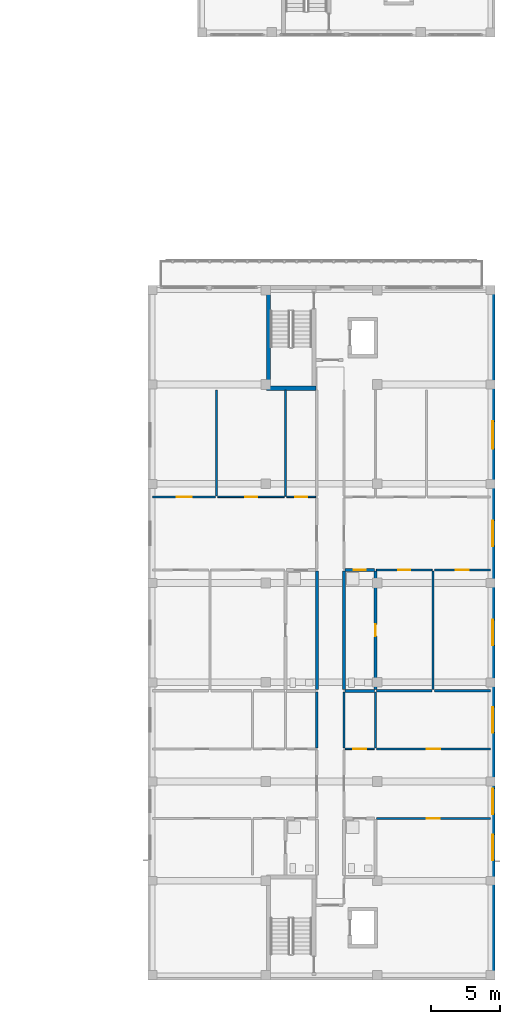
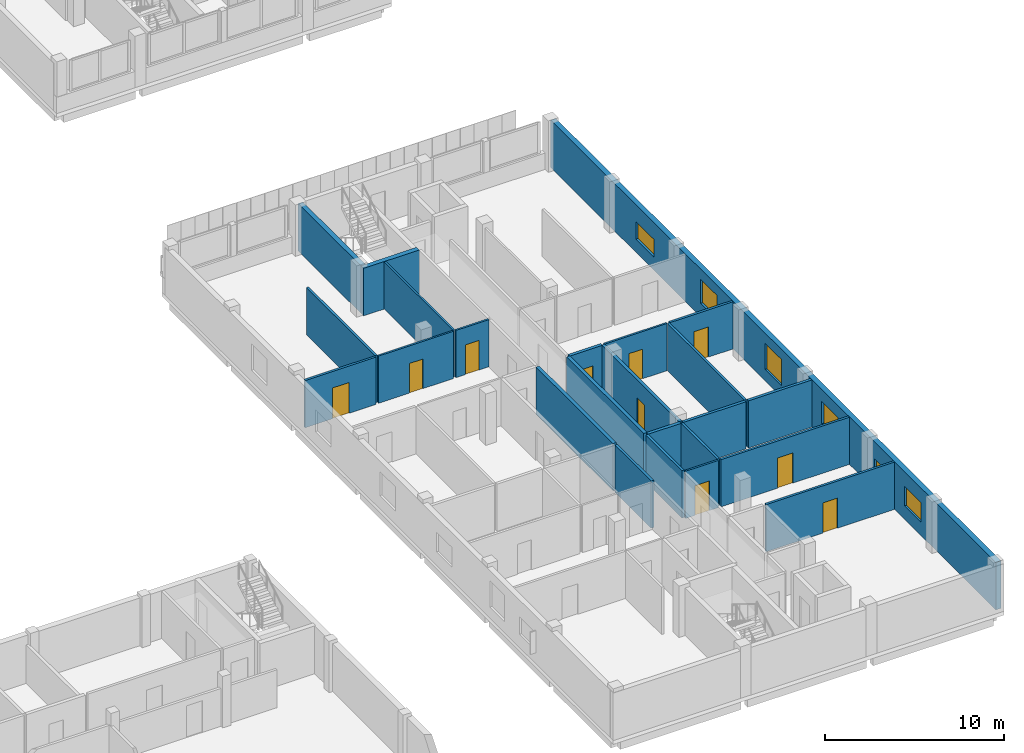
# One storey, part 47 of 73: 24 walls, 10 doors, 6 windows, 16 openings.
"""IFC4 building model written with IfcOpenShell, lengths in metres."""

from ifc_helpers import new_model, si_unit, derived_unit, direction, frame, frame_2d, origin, place, context, subcontext, project, spatial, rectangle, extrude, material, layer, layer_set, type_object, element, fill, save


model = new_model("IFC4")

# Units and contexts
model_context = context("Model", 3, precision=1e-05, world=origin(), true_north=direction((0.0, 1.0)))
body_context = subcontext(model_context, "Body", "Model", "MODEL_VIEW")
ifc_project = project(units=[si_unit("LENGTHUNIT", "METRE"), si_unit("AREAUNIT", "SQUARE_METRE"), si_unit("VOLUMEUNIT", "CUBIC_METRE"), si_unit("PLANEANGLEUNIT", "RADIAN"), si_unit("MASSUNIT", "GRAM", prefix="KILO"), derived_unit("THERMALTRANSMITTANCEUNIT", [(si_unit("MASSUNIT", "GRAM", prefix="KILO"), 1), (si_unit("TIMEUNIT", "SECOND"), -3), (si_unit("THERMODYNAMICTEMPERATUREUNIT", "KELVIN"), -1)])], contexts=[model_context])

# Site, building, storey
site_placement = place(None, origin())
site = spatial("IfcSite", under=ifc_project, at=site_placement, CompositionType="ELEMENT")
building_placement = place(site_placement, origin())
building = spatial("IfcBuilding", under=site, at=building_placement, Name="Ochrekiln Boulevard Commons", CompositionType="ELEMENT")
storey_placement = place(building_placement, frame((0.0, 0.0, 8.574951171875)))
storey = spatial("IfcBuildingStorey", under=building, at=storey_placement, Name="L02", CompositionType="ELEMENT", Elevation=8.574951171875)

# Wall, openings, windows
ifc_material_1 = material(Name="Desert ochre clinker brick masonry ASTM C216 Grade SW", Category="masonry")
ifc_layer_1 = layer(ifc_material_1, 0.330078125)
ifc_layer_set_1 = layer_set([ifc_layer_1], Name="Desert ochre clinker brick masonry ASTM C216 Grade SW")
wall_type_1 = type_object("IfcWallType", Name="WL-EXT-OCHRE-330", PredefinedType="SOLIDWALL", material=ifc_layer_set_1)
wall_1_placement = place(storey_placement, frame((172.635009765625, 0.330078125, 0.0), z_axis=(0.0, 0.0, 1.0), x_axis=(0.0, 1.0, 0.0)))
wall_1 = element("IfcWall", 1, at=wall_1_placement, inside=storey, type_object=wall_type_1, Name="Block C L02 E Exterior Wall", PredefinedType="SOLIDWALL", context=body_context, shape_type="SweptSolid", body=[
    extrude(rectangle(XDim=49.739990234375, YDim=0.330078125, at=frame_2d((24.8701171875, 0.0))), origin(), (0.0, 0.0, 1.0), 3.239990234375),
])
opening_1_placement = place(wall_1_placement, frame((11.708984375, 0.0, 0.89990234375)))
opening_1 = element("IfcOpeningElement", 2, at=opening_1_placement, cuts=wall_1, Name="Opening W-41", PredefinedType="OPENING", context=body_context, shape_type="SweptSolid", body=[
    extrude(rectangle(XDim=1.85009765625, YDim=1.199951171875, at=frame_2d((0.925048828125, 0.60009765625))), frame((0.0, 0.175048828125, 0.0), z_axis=(0.0, -1.0, 0.0), x_axis=(1.0, 0.0, 0.0)), (0.0, 0.0, 1.0), 0.35009765625),
])
opening_2_placement = place(wall_1_placement, frame((8.364013671875, 0.0, 0.89990234375)))
opening_2 = element("IfcOpeningElement", 3, at=opening_2_placement, cuts=wall_1, Name="Opening W-42", PredefinedType="OPENING", context=body_context, shape_type="SweptSolid", body=[
    extrude(rectangle(XDim=1.85009765625, YDim=1.35009765625, at=frame_2d((0.925048828125, 0.675048828125))), frame((0.0, 0.175048828125, 0.0), z_axis=(0.0, -1.0, 0.0), x_axis=(1.0, 0.0, 0.0)), (0.0, 0.0, 1.0), 0.35009765625),
])
opening_3_placement = place(wall_1_placement, frame((17.612060546875, 0.0, 0.89990234375)))
opening_3 = element("IfcOpeningElement", 4, at=opening_3_placement, cuts=wall_1, Name="Opening W-43", PredefinedType="OPENING", context=body_context, shape_type="SweptSolid", body=[
    extrude(rectangle(XDim=1.85009765625, YDim=1.5, at=frame_2d((0.925048828125, 0.75))), frame((0.0, 0.175048828125, 0.0), z_axis=(0.0, -1.0, 0.0), x_axis=(1.0, 0.0, 0.0)), (0.0, 0.0, 1.0), 0.35009765625),
])
opening_4_placement = place(wall_1_placement, frame((31.14501953125, 0.0, 0.89990234375)))
opening_4 = element("IfcOpeningElement", 5, at=opening_4_placement, cuts=wall_1, Name="Opening W-44", PredefinedType="OPENING", context=body_context, shape_type="SweptSolid", body=[
    extrude(rectangle(XDim=1.85009765625, YDim=1.64990234375, at=frame_2d((0.925048828125, 0.824951171875))), frame((0.0, 0.175048828125, 0.0), z_axis=(0.0, -1.0, 0.0), x_axis=(1.0, 0.0, 0.0)), (0.0, 0.0, 1.0), 0.35009765625),
])
opening_5_placement = place(wall_1_placement, frame((23.945068359375, 0.0, 0.7548828125)))
opening_5 = element("IfcOpeningElement", 6, at=opening_5_placement, cuts=wall_1, Name="Opening W-45", PredefinedType="OPENING", context=body_context, shape_type="SweptSolid", body=[
    extrude(rectangle(XDim=1.85009765625, YDim=1.800048828125, at=frame_2d((0.925048828125, 0.89990234375))), frame((0.0, 0.175048828125, 0.0), z_axis=(0.0, -1.0, 0.0), x_axis=(1.0, 0.0, 0.0)), (0.0, 0.0, 1.0), 0.35009765625),
])
opening_6_placement = place(wall_1_placement, frame((38.205078125, 0.0, 0.89990234375)))
opening_6 = element("IfcOpeningElement", 7, at=opening_6_placement, cuts=wall_1, Name="Opening W-46", PredefinedType="OPENING", context=body_context, shape_type="SweptSolid", body=[
    extrude(rectangle(XDim=2.0, YDim=1.199951171875, at=frame_2d((1.0, 0.60009765625))), frame((0.0, 0.175048828125, 0.0), z_axis=(0.0, -1.0, 0.0), x_axis=(1.0, 0.0, 0.0)), (0.0, 0.0, 1.0), 0.35009765625),
])
ifc_material_2 = material(Name="Thermally broken aluminium-clad oak frame", Category="aluminium")
window_type_1 = type_object("IfcWindowType", Name="WIN-EXT-41", PartitioningType="DOUBLE_PANEL_VERTICAL", PredefinedType="WINDOW", material=ifc_material_2)
window_1_placement = place(opening_1_placement, origin())
window_1 = element("IfcWindow", 8, at=window_1_placement, inside=storey, type_object=window_type_1, Name="Block C L02 Punched Masonry Window W-41", OverallHeight=1.199951171875, OverallWidth=1.85009765625, PartitioningType="DOUBLE_PANEL_VERTICAL", PredefinedType="WINDOW", context=body_context, shape_type="SweptSolid", body=[
    extrude(rectangle(XDim=1.85009765625, YDim=1.199951171875, at=frame_2d((0.925048828125, 0.60009765625))), frame((0.0, 0.030029296875, 0.0), z_axis=(0.0, -1.0, 0.0), x_axis=(1.0, 0.0, 0.0)), (0.0, 0.0, 1.0), 0.06005859375),
])
fill(opening_1, window_1)
window_type_2 = type_object("IfcWindowType", Name="WIN-EXT-42", PartitioningType="DOUBLE_PANEL_VERTICAL", PredefinedType="WINDOW", material=ifc_material_2)
window_2_placement = place(opening_2_placement, origin())
window_2 = element("IfcWindow", 9, at=window_2_placement, inside=storey, type_object=window_type_2, Name="Block C L02 Punched Masonry Window W-42", OverallHeight=1.35009765625, OverallWidth=1.85009765625, PartitioningType="DOUBLE_PANEL_VERTICAL", PredefinedType="WINDOW", context=body_context, shape_type="SweptSolid", body=[
    extrude(rectangle(XDim=1.85009765625, YDim=1.35009765625, at=frame_2d((0.925048828125, 0.675048828125))), frame((0.0, 0.030029296875, 0.0), z_axis=(0.0, -1.0, 0.0), x_axis=(1.0, 0.0, 0.0)), (0.0, 0.0, 1.0), 0.06005859375),
])
fill(opening_2, window_2)
window_type_3 = type_object("IfcWindowType", Name="WIN-EXT-43", PartitioningType="DOUBLE_PANEL_VERTICAL", PredefinedType="WINDOW", material=ifc_material_2)
window_3_placement = place(opening_3_placement, origin())
window_3 = element("IfcWindow", 10, at=window_3_placement, inside=storey, type_object=window_type_3, Name="Block C L02 Punched Masonry Window W-43", OverallHeight=1.5, OverallWidth=1.85009765625, PartitioningType="DOUBLE_PANEL_VERTICAL", PredefinedType="WINDOW", context=body_context, shape_type="SweptSolid", body=[
    extrude(rectangle(XDim=1.85009765625, YDim=1.5, at=frame_2d((0.925048828125, 0.75))), frame((0.0, 0.030029296875, 0.0), z_axis=(0.0, -1.0, 0.0), x_axis=(1.0, 0.0, 0.0)), (0.0, 0.0, 1.0), 0.06005859375),
])
fill(opening_3, window_3)
window_type_4 = type_object("IfcWindowType", Name="WIN-EXT-44", PartitioningType="DOUBLE_PANEL_VERTICAL", PredefinedType="WINDOW", material=ifc_material_2)
window_4_placement = place(opening_4_placement, origin())
window_4 = element("IfcWindow", 11, at=window_4_placement, inside=storey, type_object=window_type_4, Name="Block C L02 Punched Masonry Window W-44", OverallHeight=1.64990234375, OverallWidth=1.85009765625, PartitioningType="DOUBLE_PANEL_VERTICAL", PredefinedType="WINDOW", context=body_context, shape_type="SweptSolid", body=[
    extrude(rectangle(XDim=1.85009765625, YDim=1.64990234375, at=frame_2d((0.925048828125, 0.824951171875))), frame((0.0, 0.030029296875, 0.0), z_axis=(0.0, -1.0, 0.0), x_axis=(1.0, 0.0, 0.0)), (0.0, 0.0, 1.0), 0.06005859375),
])
fill(opening_4, window_4)
window_type_5 = type_object("IfcWindowType", Name="WIN-EXT-45", PartitioningType="DOUBLE_PANEL_VERTICAL", PredefinedType="WINDOW", material=ifc_material_2)
window_5_placement = place(opening_5_placement, origin())
window_5 = element("IfcWindow", 12, at=window_5_placement, inside=storey, type_object=window_type_5, Name="Block C L02 Punched Masonry Window W-45", OverallHeight=1.800048828125, OverallWidth=1.85009765625, PartitioningType="DOUBLE_PANEL_VERTICAL", PredefinedType="WINDOW", context=body_context, shape_type="SweptSolid", body=[
    extrude(rectangle(XDim=1.85009765625, YDim=1.800048828125, at=frame_2d((0.925048828125, 0.89990234375))), frame((0.0, 0.030029296875, 0.0), z_axis=(0.0, -1.0, 0.0), x_axis=(1.0, 0.0, 0.0)), (0.0, 0.0, 1.0), 0.06005859375),
])
fill(opening_5, window_5)
window_type_6 = type_object("IfcWindowType", Name="WIN-EXT-46", PartitioningType="DOUBLE_PANEL_VERTICAL", PredefinedType="WINDOW", material=ifc_material_2)
window_6_placement = place(opening_6_placement, origin())
window_6 = element("IfcWindow", 13, at=window_6_placement, inside=storey, type_object=window_type_6, Name="Block C L02 Punched Masonry Window W-46", OverallHeight=1.199951171875, OverallWidth=2.0, PartitioningType="DOUBLE_PANEL_VERTICAL", PredefinedType="WINDOW", context=body_context, shape_type="SweptSolid", body=[
    extrude(rectangle(XDim=2.0, YDim=1.199951171875, at=frame_2d((1.0, 0.60009765625))), frame((0.0, 0.030029296875, 0.0), z_axis=(0.0, -1.0, 0.0), x_axis=(1.0, 0.0, 0.0)), (0.0, 0.0, 1.0), 0.06005859375),
])
fill(opening_6, window_6)

# Wall
ifc_material_3 = material(Name="Moisture-resistant cementitious tile backer wall")
ifc_layer_2 = layer(ifc_material_3, 0.199951171875)
ifc_layer_set_2 = layer_set([ifc_layer_2], Name="Moisture-resistant cementitious tile backer wall")
wall_type_2 = type_object("IfcWallType", Name="WL-PLM-200", PredefinedType="PLUMBINGWALL", material=ifc_layer_set_2)
wall_2_placement = place(storey_placement, frame((161.923095703125, 20.97607421875, 0.0), z_axis=(0.0, 0.0, 1.0), x_axis=(1.0, 0.0, 0.0)))
element("IfcWall", 14, at=wall_2_placement, inside=storey, type_object=wall_type_2, Name="L02 Interior Wall W-PW200", PredefinedType="PLUMBINGWALL", context=body_context, shape_type="SweptSolid", body=[
    extrude(rectangle(XDim=2.11181640625, YDim=0.199951171875, at=frame_2d((1.055908203125, 0.0))), origin(), (0.0, 0.0, 1.0), 3.219970703125),
])

# Wall, opening, door
wall_3_placement = place(storey_placement, frame((161.923095703125, 29.75, 0.0), z_axis=(0.0, 0.0, 1.0), x_axis=(1.0, 0.0, 0.0)))
wall_3 = element("IfcWall", 15, at=wall_3_placement, inside=storey, type_object=wall_type_2, Name="L02 Interior Wall W-PW200", PredefinedType="PLUMBINGWALL", context=body_context, shape_type="SweptSolid", body=[
    extrude(rectangle(XDim=2.10693359375, YDim=0.199951171875, at=frame_2d((1.053466796875, 0.0))), origin(), (0.0, 0.0, 1.0), 3.219970703125),
])
opening_7_placement = place(wall_3_placement, frame((0.612060546875, 0.0, 0.0)))
opening_7 = element("IfcOpeningElement", 16, at=opening_7_placement, cuts=wall_3, Name="Opening D-L02-390", PredefinedType="OPENING", context=body_context, shape_type="SweptSolid", body=[
    extrude(rectangle(XDim=0.889892578125, YDim=2.030029296875, at=frame_2d((0.44482421875, 1.01513671875))), frame((0.0, 0.10986328125, 0.0), z_axis=(0.0, -1.0, 0.0), x_axis=(1.0, 0.0, 0.0)), (0.0, 0.0, 1.0), 0.219970703125),
])
ifc_material_4 = material(Name="Solid core architectural oak door leaf")
door_type_1 = type_object("IfcDoorType", Name="DR-INT-BTH-089", OperationType="NOTDEFINED", PredefinedType="DOOR", material=ifc_material_4)
door_1_placement = place(opening_7_placement, frame((0.889892578125, 0.0, 0.0), z_axis=(0.0, 0.0, 1.0), x_axis=(-1.0, 0.0, 0.0)))
door_1 = element("IfcDoor", 17, at=door_1_placement, inside=storey, type_object=door_type_1, Name="L02 Interior Door to Apartment Bathroom", OperationType="SINGLE_SWING_RIGHT", OverallHeight=2.030029296875, OverallWidth=0.889892578125, PredefinedType="DOOR", context=body_context, shape_type="SweptSolid", body=[
    extrude(rectangle(XDim=0.889892578125, YDim=2.030029296875, at=frame_2d((0.44482421875, 1.01513671875))), frame((0.0, 0.02490234375, 0.0), z_axis=(0.0, -1.0, 0.0), x_axis=(1.0, 0.0, 0.0)), (0.0, 0.0, 1.0), 0.050048828125),
])
fill(opening_7, door_1)

wall_4_placement = place(storey_placement, frame((164.110107421875, 21.06591796875, 0.0), z_axis=(0.0, 0.0, 1.0), x_axis=(0.0, 1.0, 0.0)))
wall_4 = element("IfcWall", 18, at=wall_4_placement, inside=storey, type_object=wall_type_2, Name="L02 Interior Wall W-PW200", PredefinedType="PLUMBINGWALL", context=body_context, shape_type="SweptSolid", body=[
    extrude(rectangle(XDim=8.6240234375, YDim=0.199951171875, at=frame_2d((4.31201171875, 0.0))), origin(), (0.0, 0.0, 1.0), 3.219970703125),
])
opening_8_placement = place(wall_4_placement, frame((3.876953125, 0.0, 0.0)))
opening_8 = element("IfcOpeningElement", 19, at=opening_8_placement, cuts=wall_4, Name="Opening D-L02-396", PredefinedType="OPENING", context=body_context, shape_type="SweptSolid", body=[
    extrude(rectangle(XDim=0.85009765625, YDim=2.010009765625, at=frame_2d((0.425048828125, 1.0048828125))), frame((0.0, 0.10986328125, 0.0), z_axis=(0.0, -1.0, 0.0), x_axis=(1.0, 0.0, 0.0)), (0.0, 0.0, 1.0), 0.219970703125),
])
door_type_2 = type_object("IfcDoorType", Name="DR-INT-KIT-085", OperationType="NOTDEFINED", PredefinedType="DOOR", material=ifc_material_4)
door_2_placement = place(opening_8_placement, origin())
door_2 = element("IfcDoor", 20, at=door_2_placement, inside=storey, type_object=door_type_2, Name="L02 Interior Door to Apartment Bathroom", OperationType="SINGLE_SWING_RIGHT", OverallHeight=2.010009765625, OverallWidth=0.85009765625, PredefinedType="DOOR", context=body_context, shape_type="SweptSolid", body=[
    extrude(rectangle(XDim=0.85009765625, YDim=2.010009765625, at=frame_2d((0.425048828125, 1.0048828125))), frame((0.0, 0.02490234375, 0.0), z_axis=(0.0, -1.0, 0.0), x_axis=(1.0, 0.0, 0.0)), (0.0, 0.0, 1.0), 0.050048828125),
])
fill(opening_8, door_2)

# Walls
ifc_layer_3 = layer(ifc_material_3, 0.219970703125)
ifc_layer_set_3 = layer_set([ifc_layer_3], Name="Moisture-resistant cementitious tile backer wall")
wall_type_3 = type_object("IfcWallType", Name="WL-PLM-220", PredefinedType="PLUMBINGWALL", material=ifc_layer_set_3)
for number, where, z_axis, x_axis, name in (
    (21, (159.860107421875, 21.06591796875, 0.0), (0.0, 0.0, 1.0), (0.0, 1.0, 0.0), "L02 Interior Wall W-PW220"),
    (22, (161.840087890625, 21.06591796875, 0.0), (0.0, 0.0, 1.0), (0.0, 1.0, 0.0), "L02 Interior Wall W-PW220"),
):
    element("IfcWall", number, at=place(storey_placement, frame(where, z_axis=z_axis, x_axis=x_axis)), inside=storey, type_object=wall_type_3, Name=name, PredefinedType="PLUMBINGWALL", context=body_context, shape_type="SweptSolid", body=[
        extrude(rectangle(XDim=8.60400390625, YDim=0.219970703125, at=frame_2d((4.302001953125, 0.0))), origin(), (0.0, 0.0, 1.0), 3.219970703125),
    ])
ifc_material_5 = material(Name="Fire-rated Type X gypsum board on steel studs", Category="steel")
ifc_layer_4 = layer(ifc_material_5, 0.1650390625)
ifc_layer_set_4 = layer_set([ifc_layer_4], Name="Fire-rated Type X gypsum board on steel studs")
wall_type_4 = type_object("IfcWallType", Name="WL-PT-CORR-165", PredefinedType="PARTITIONING", material=ifc_layer_set_4)
for number, where, z_axis, x_axis, name in (
    (23, (159.860107421875, 16.846923828125, 0.0), (0.0, 0.0, 1.0), (0.0, 1.0, 0.0), "L02 Interior Wall W-PC165"),
    (24, (161.840087890625, 16.846923828125, 0.0), (0.0, 0.0, 1.0), (0.0, 1.0, 0.0), "L02 Interior Wall W-PC165"),
):
    element("IfcWall", number, at=place(storey_placement, frame(where, z_axis=z_axis, x_axis=x_axis)), inside=storey, type_object=wall_type_4, Name=name, PredefinedType="PARTITIONING", context=body_context, shape_type="SweptSolid", body=[
        extrude(rectangle(XDim=4.0390625, YDim=0.1650390625, at=frame_2d((2.01953125, 0.0))), origin(), (0.0, 0.0, 1.0), 3.219970703125),
    ])
ifc_layer_5 = layer(ifc_material_5, 0.179931640625)
ifc_layer_set_5 = layer_set([ifc_layer_5], Name="Fire-rated Type X gypsum board on steel studs")
wall_type_5 = type_object("IfcWallType", Name="WL-PT-DEM-180", PredefinedType="PARTITIONING", material=ifc_layer_set_5)
wall_5_placement = place(storey_placement, frame((168.382080078125, 20.97607421875, 0.0), z_axis=(0.0, 0.0, 1.0), x_axis=(1.0, 0.0, 0.0)))
element("IfcWall", 25, at=wall_5_placement, inside=storey, type_object=wall_type_5, Name="L02 Interior Wall W-PD180", PredefinedType="PARTITIONING", context=body_context, shape_type="SweptSolid", body=[
    extrude(rectangle(XDim=4.087890625, YDim=0.179931640625, at=frame_2d((2.0439453125, 0.0))), origin(), (0.0, 0.0, 1.0), 3.219970703125),
])
wall_6_placement = place(storey_placement, frame((164.18994140625, 20.97607421875, 0.0), z_axis=(0.0, 0.0, 1.0), x_axis=(1.0, 0.0, 0.0)))
element("IfcWall", 26, at=wall_6_placement, inside=storey, type_object=wall_type_5, Name="L02 Interior Wall W-PD180", PredefinedType="PARTITIONING", context=body_context, shape_type="SweptSolid", body=[
    extrude(rectangle(XDim=4.031982421875, YDim=0.179931640625, at=frame_2d((2.01611328125, 0.0))), origin(), (0.0, 0.0, 1.0), 3.219970703125),
])

# Wall, opening, door
ifc_layer_6 = layer(ifc_material_5, 0.1201171875)
ifc_layer_set_6 = layer_set([ifc_layer_6], Name="Fire-rated Type X gypsum board on steel studs")
wall_type_6 = type_object("IfcWallType", Name="WL-PT-LGT-120", PredefinedType="PARTITIONING", material=ifc_layer_set_6)
wall_7_placement = place(storey_placement, frame((157.669921875, 35.050048828125, 0.0), z_axis=(0.0, 0.0, 1.0), x_axis=(1.0, 0.0, 0.0)))
wall_7 = element("IfcWall", 27, at=wall_7_placement, inside=storey, type_object=wall_type_6, Name="L02 Interior Wall W-PL120", PredefinedType="PARTITIONING", context=body_context, shape_type="SweptSolid", body=[
    extrude(rectangle(XDim=2.108154296875, YDim=0.1201171875, at=frame_2d((1.05419921875, 0.0))), origin(), (0.0, 0.0, 1.0), 3.219970703125),
])
opening_9_placement = place(wall_7_placement, frame((0.610107421875, 0.0, 0.0)))
opening_9 = element("IfcOpeningElement", 28, at=opening_9_placement, cuts=wall_7, Name="Opening D-L02-380", PredefinedType="OPENING", context=body_context, shape_type="SweptSolid", body=[
    extrude(rectangle(XDim=0.8798828125, YDim=2.02001953125, at=frame_2d((0.43994140625, 1.010009765625))), frame((0.0, 0.070068359375, 0.0), z_axis=(0.0, -1.0, 0.0), x_axis=(1.0, 0.0, 0.0)), (0.0, 0.0, 1.0), 0.14013671875),
])
door_type_3 = type_object("IfcDoorType", Name="DR-INT-KIT-088", OperationType="NOTDEFINED", PredefinedType="DOOR", material=ifc_material_4)
door_3_placement = place(opening_9_placement, origin())
door_3 = element("IfcDoor", 29, at=door_3_placement, inside=storey, type_object=door_type_3, Name="L02 Interior Door to Apartment Kitchen", OperationType="SINGLE_SWING_RIGHT", OverallHeight=2.02001953125, OverallWidth=0.8798828125, PredefinedType="DOOR", context=body_context, shape_type="SweptSolid", body=[
    extrude(rectangle(XDim=0.8798828125, YDim=2.02001953125, at=frame_2d((0.43994140625, 1.010009765625))), frame((0.0, 0.02490234375, 0.0), z_axis=(0.0, -1.0, 0.0), x_axis=(1.0, 0.0, 0.0)), (0.0, 0.0, 1.0), 0.050048828125),
])
fill(opening_9, door_3)

wall_8_placement = place(storey_placement, frame((152.673095703125, 35.050048828125, 0.0), z_axis=(0.0, 0.0, 1.0), x_axis=(1.0, 0.0, 0.0)))
wall_8 = element("IfcWall", 30, at=wall_8_placement, inside=storey, type_object=wall_type_6, Name="L02 Interior Wall W-PL120", PredefinedType="PARTITIONING", context=body_context, shape_type="SweptSolid", body=[
    extrude(rectangle(XDim=4.8369140625, YDim=0.1201171875, at=frame_2d((2.41845703125, 0.0))), origin(), (0.0, 0.0, 1.0), 3.219970703125),
])
opening_10_placement = place(wall_8_placement, frame((1.97802734375, 0.0, 0.0)))
opening_10 = element("IfcOpeningElement", 31, at=opening_10_placement, cuts=wall_8, Name="Opening D-L02-384", PredefinedType="OPENING", context=body_context, shape_type="SweptSolid", body=[
    extrude(rectangle(XDim=0.8798828125, YDim=2.02001953125, at=frame_2d((0.43994140625, 1.010009765625))), frame((0.0, 0.070068359375, 0.0), z_axis=(0.0, -1.0, 0.0), x_axis=(1.0, 0.0, 0.0)), (0.0, 0.0, 1.0), 0.14013671875),
])
door_4_placement = place(opening_10_placement, origin())
door_4 = element("IfcDoor", 32, at=door_4_placement, inside=storey, type_object=door_type_3, Name="L02 Interior Door to Apartment Walk-In Wardrobe", OperationType="SINGLE_SWING_RIGHT", OverallHeight=2.02001953125, OverallWidth=0.8798828125, PredefinedType="DOOR", context=body_context, shape_type="SweptSolid", body=[
    extrude(rectangle(XDim=0.8798828125, YDim=2.02001953125, at=frame_2d((0.43994140625, 1.010009765625))), frame((0.0, 0.02490234375, 0.0), z_axis=(0.0, -1.0, 0.0), x_axis=(1.0, 0.0, 0.0)), (0.0, 0.0, 1.0), 0.050048828125),
])
fill(opening_10, door_4)

# Wall
wall_9_placement = place(storey_placement, frame((157.590087890625, 35.110107421875, 0.0), z_axis=(0.0, 0.0, 1.0), x_axis=(0.0, 1.0, 0.0)))
element("IfcWall", 33, at=wall_9_placement, inside=storey, type_object=wall_type_6, Name="L02 Interior Wall W-PL120", PredefinedType="PARTITIONING", context=body_context, shape_type="SweptSolid", body=[
    extrude(rectangle(XDim=7.68994140625, YDim=0.1201171875, at=frame_2d((3.844970703125, 0.0))), origin(), (0.0, 0.0, 1.0), 3.219970703125),
])

# Wall, opening, door
wall_10_placement = place(storey_placement, frame((161.923095703125, 16.76708984375, 0.0), z_axis=(0.0, 0.0, 1.0), x_axis=(1.0, 0.0, 0.0)))
wall_10 = element("IfcWall", 34, at=wall_10_placement, inside=storey, type_object=wall_type_6, Name="L02 Interior Wall W-PL120", PredefinedType="PARTITIONING", context=body_context, shape_type="SweptSolid", body=[
    extrude(rectangle(XDim=2.10693359375, YDim=0.1201171875, at=frame_2d((1.053466796875, 0.0))), origin(), (0.0, 0.0, 1.0), 3.219970703125),
])
opening_11_placement = place(wall_10_placement, frame((0.596923828125, 0.0, 0.0)))
opening_11 = element("IfcOpeningElement", 35, at=opening_11_placement, cuts=wall_10, Name="Opening D-L02-387", PredefinedType="OPENING", context=body_context, shape_type="SweptSolid", body=[
    extrude(rectangle(XDim=0.919921875, YDim=2.02001953125, at=frame_2d((0.4599609375, 1.010009765625))), frame((0.0, 0.070068359375, 0.0), z_axis=(0.0, -1.0, 0.0), x_axis=(1.0, 0.0, 0.0)), (0.0, 0.0, 1.0), 0.14013671875),
])
door_type_4 = type_object("IfcDoorType", Name="DR-INT-KIT-092", OperationType="NOTDEFINED", PredefinedType="DOOR", material=ifc_material_4)
door_5_placement = place(opening_11_placement, origin())
door_5 = element("IfcDoor", 36, at=door_5_placement, inside=storey, type_object=door_type_4, Name="L02 Interior Door to Apartment Kitchen", OperationType="SINGLE_SWING_LEFT", OverallHeight=2.02001953125, OverallWidth=0.919921875, PredefinedType="DOOR", context=body_context, shape_type="SweptSolid", body=[
    extrude(rectangle(XDim=0.919921875, YDim=2.02001953125, at=frame_2d((0.4599609375, 1.010009765625))), frame((0.0, 0.02490234375, 0.0), z_axis=(0.0, -1.0, 0.0), x_axis=(1.0, 0.0, 0.0)), (0.0, 0.0, 1.0), 0.050048828125),
])
fill(opening_11, door_5)

wall_11_placement = place(storey_placement, frame((164.18994140625, 29.75, 0.0), z_axis=(0.0, 0.0, 1.0), x_axis=(1.0, 0.0, 0.0)))
wall_11 = element("IfcWall", 37, at=wall_11_placement, inside=storey, type_object=wall_type_6, Name="L02 Interior Wall W-PL120", PredefinedType="PARTITIONING", context=body_context, shape_type="SweptSolid", body=[
    extrude(rectangle(XDim=4.031982421875, YDim=0.1201171875, at=frame_2d((2.01611328125, 0.0))), origin(), (0.0, 0.0, 1.0), 3.219970703125),
])
opening_12_placement = place(wall_11_placement, frame((1.575927734375, 0.0, 0.0)))
opening_12 = element("IfcOpeningElement", 38, at=opening_12_placement, cuts=wall_11, Name="Opening D-L02-393", PredefinedType="OPENING", context=body_context, shape_type="SweptSolid", body=[
    extrude(rectangle(XDim=0.8798828125, YDim=2.02001953125, at=frame_2d((0.43994140625, 1.010009765625))), frame((0.0, 0.070068359375, 0.0), z_axis=(0.0, -1.0, 0.0), x_axis=(1.0, 0.0, 0.0)), (0.0, 0.0, 1.0), 0.14013671875),
])
door_6_placement = place(opening_12_placement, frame((0.8798828125, 0.0, 0.0), z_axis=(0.0, 0.0, 1.0), x_axis=(-1.0, 0.0, 0.0)))
door_6 = element("IfcDoor", 39, at=door_6_placement, inside=storey, type_object=door_type_3, Name="L02 Interior Door to Apartment Walk-In Wardrobe", OperationType="SINGLE_SWING_LEFT", OverallHeight=2.02001953125, OverallWidth=0.8798828125, PredefinedType="DOOR", context=body_context, shape_type="SweptSolid", body=[
    extrude(rectangle(XDim=0.8798828125, YDim=2.02001953125, at=frame_2d((0.43994140625, 1.010009765625))), frame((0.0, 0.02490234375, 0.0), z_axis=(0.0, -1.0, 0.0), x_axis=(1.0, 0.0, 0.0)), (0.0, 0.0, 1.0), 0.050048828125),
])
fill(opening_12, door_6)

ifc_layer_7 = layer(ifc_material_5, 0.14990234375)
ifc_layer_set_7 = layer_set([ifc_layer_7], Name="Fire-rated Type X gypsum board on steel studs")
wall_type_7 = type_object("IfcWallType", Name="WL-PT-STD-150", PredefinedType="PARTITIONING", material=ifc_layer_set_7)
wall_12_placement = place(storey_placement, frame((147.929931640625, 35.050048828125, 0.0), z_axis=(0.0, 0.0, 1.0), x_axis=(1.0, 0.0, 0.0)))
wall_12 = element("IfcWall", 40, at=wall_12_placement, inside=storey, type_object=wall_type_7, Name="L02 Interior Wall W-PS150", PredefinedType="PARTITIONING", context=body_context, shape_type="SweptSolid", body=[
    extrude(rectangle(XDim=4.5830078125, YDim=0.14990234375, at=frame_2d((2.29150390625, 0.0))), origin(), (0.0, 0.0, 1.0), 3.219970703125),
])
opening_13_placement = place(wall_12_placement, frame((1.760986328125, 0.0, 0.0)))
opening_13 = element("IfcOpeningElement", 41, at=opening_13_placement, cuts=wall_12, Name="Opening D-L02-383", PredefinedType="OPENING", context=body_context, shape_type="SweptSolid", body=[
    extrude(rectangle(XDim=1.080078125, YDim=2.10009765625, at=frame_2d((0.5400390625, 1.050048828125))), frame((0.0, 0.0849609375, 0.0), z_axis=(0.0, -1.0, 0.0), x_axis=(1.0, 0.0, 0.0)), (0.0, 0.0, 1.0), 0.169921875),
])
door_type_5 = type_object("IfcDoorType", Name="DR-INT-BED-108", OperationType="NOTDEFINED", PredefinedType="DOOR", material=ifc_material_4)
door_7_placement = place(opening_13_placement, origin())
door_7 = element("IfcDoor", 42, at=door_7_placement, inside=storey, type_object=door_type_5, Name="L02 Interior Door to Secondary Apartment Bedroom", OperationType="SINGLE_SWING_LEFT", OverallHeight=2.10009765625, OverallWidth=1.080078125, PredefinedType="DOOR", context=body_context, shape_type="SweptSolid", body=[
    extrude(rectangle(XDim=1.080078125, YDim=2.10009765625, at=frame_2d((0.5400390625, 1.050048828125))), frame((0.0, 0.02490234375, 0.0), z_axis=(0.0, -1.0, 0.0), x_axis=(1.0, 0.0, 0.0)), (0.0, 0.0, 1.0), 0.050048828125),
])
fill(opening_13, door_7)

# Wall
wall_13_placement = place(storey_placement, frame((152.593017578125, 35.125, 0.0), z_axis=(0.0, 0.0, 1.0), x_axis=(0.0, 1.0, 0.0)))
element("IfcWall", 43, at=wall_13_placement, inside=storey, type_object=wall_type_7, Name="L02 Interior Wall W-PS150", PredefinedType="PARTITIONING", context=body_context, shape_type="SweptSolid", body=[
    extrude(rectangle(XDim=7.675048828125, YDim=0.14990234375, at=frame_2d((3.83740234375, 0.0))), origin(), (0.0, 0.0, 1.0), 3.219970703125),
])

# Wall, opening, door
wall_14_placement = place(storey_placement, frame((164.18994140625, 11.718994140625, 0.0), z_axis=(0.0, 0.0, 1.0), x_axis=(1.0, 0.0, 0.0)))
wall_14 = element("IfcWall", 44, at=wall_14_placement, inside=storey, type_object=wall_type_7, Name="L02 Interior Wall W-PS150", PredefinedType="PARTITIONING", context=body_context, shape_type="SweptSolid", body=[
    extrude(rectangle(XDim=8.280029296875, YDim=0.14990234375, at=frame_2d((4.14013671875, 0.0))), origin(), (0.0, 0.0, 1.0), 3.219970703125),
])
opening_14_placement = place(wall_14_placement, frame((3.659912109375, 0.0, 0.0)))
opening_14 = element("IfcOpeningElement", 45, at=opening_14_placement, cuts=wall_14, Name="Opening D-L02-388", PredefinedType="OPENING", context=body_context, shape_type="SweptSolid", body=[
    extrude(rectangle(XDim=0.93994140625, YDim=2.06005859375, at=frame_2d((0.469970703125, 1.030029296875))), frame((0.0, 0.0849609375, 0.0), z_axis=(0.0, -1.0, 0.0), x_axis=(1.0, 0.0, 0.0)), (0.0, 0.0, 1.0), 0.169921875),
])
door_type_6 = type_object("IfcDoorType", Name="DR-INT-BED-094", OperationType="NOTDEFINED", PredefinedType="DOOR", material=ifc_material_4)
door_8_placement = place(opening_14_placement, frame((0.93994140625, 0.0, 0.0), z_axis=(0.0, 0.0, 1.0), x_axis=(-1.0, 0.0, 0.0)))
door_8 = element("IfcDoor", 46, at=door_8_placement, inside=storey, type_object=door_type_6, Name="L02 Interior Door to Primary Apartment Bedroom", OperationType="SINGLE_SWING_RIGHT", OverallHeight=2.06005859375, OverallWidth=0.93994140625, PredefinedType="DOOR", context=body_context, shape_type="SweptSolid", body=[
    extrude(rectangle(XDim=0.93994140625, YDim=2.06005859375, at=frame_2d((0.469970703125, 1.030029296875))), frame((0.0, 0.02490234375, 0.0), z_axis=(0.0, -1.0, 0.0), x_axis=(1.0, 0.0, 0.0)), (0.0, 0.0, 1.0), 0.050048828125),
])
fill(opening_14, door_8)

wall_15_placement = place(storey_placement, frame((164.18994140625, 16.76708984375, 0.0), z_axis=(0.0, 0.0, 1.0), x_axis=(1.0, 0.0, 0.0)))
wall_15 = element("IfcWall", 47, at=wall_15_placement, inside=storey, type_object=wall_type_7, Name="L02 Interior Wall W-PS150", PredefinedType="PARTITIONING", context=body_context, shape_type="SweptSolid", body=[
    extrude(rectangle(XDim=8.280029296875, YDim=0.14990234375, at=frame_2d((4.14013671875, 0.0))), origin(), (0.0, 0.0, 1.0), 3.219970703125),
])
opening_15_placement = place(wall_15_placement, frame((3.6298828125, 0.0, 0.0)))
opening_15 = element("IfcOpeningElement", 48, at=opening_15_placement, cuts=wall_15, Name="Opening D-L02-389", PredefinedType="OPENING", context=body_context, shape_type="SweptSolid", body=[
    extrude(rectangle(XDim=1.0, YDim=2.06005859375, at=frame_2d((0.5, 1.030029296875))), frame((0.0, 0.0849609375, 0.0), z_axis=(0.0, -1.0, 0.0), x_axis=(1.0, 0.0, 0.0)), (0.0, 0.0, 1.0), 0.169921875),
])
door_type_7 = type_object("IfcDoorType", Name="DR-INT-BED-100", OperationType="NOTDEFINED", PredefinedType="DOOR", material=ifc_material_4)
door_9_placement = place(opening_15_placement, origin())
door_9 = element("IfcDoor", 49, at=door_9_placement, inside=storey, type_object=door_type_7, Name="L02 Interior Door to Secondary Apartment Bedroom", OperationType="SINGLE_SWING_LEFT", OverallHeight=2.06005859375, OverallWidth=1.0, PredefinedType="DOOR", context=body_context, shape_type="SweptSolid", body=[
    extrude(rectangle(XDim=1.0, YDim=2.06005859375, at=frame_2d((0.5, 1.030029296875))), frame((0.0, 0.02490234375, 0.0), z_axis=(0.0, -1.0, 0.0), x_axis=(1.0, 0.0, 0.0)), (0.0, 0.0, 1.0), 0.050048828125),
])
fill(opening_15, door_9)

# Wall
wall_16_placement = place(storey_placement, frame((164.110107421875, 16.842041015625, 0.0), z_axis=(0.0, 0.0, 1.0), x_axis=(0.0, 1.0, 0.0)))
element("IfcWall", 50, at=wall_16_placement, inside=storey, type_object=wall_type_7, Name="L02 Interior Wall W-PS150", PredefinedType="PARTITIONING", context=body_context, shape_type="SweptSolid", body=[
    extrude(rectangle(XDim=4.0439453125, YDim=0.14990234375, at=frame_2d((2.02197265625, 0.0))), origin(), (0.0, 0.0, 1.0), 3.219970703125),
])

# Wall, opening, door
wall_17_placement = place(storey_placement, frame((168.382080078125, 29.75, 0.0), z_axis=(0.0, 0.0, 1.0), x_axis=(1.0, 0.0, 0.0)))
wall_17 = element("IfcWall", 51, at=wall_17_placement, inside=storey, type_object=wall_type_7, Name="L02 Interior Wall W-PS150", PredefinedType="PARTITIONING", context=body_context, shape_type="SweptSolid", body=[
    extrude(rectangle(XDim=4.087890625, YDim=0.14990234375, at=frame_2d((2.0439453125, 0.0))), origin(), (0.0, 0.0, 1.0), 3.219970703125),
])
opening_16_placement = place(wall_17_placement, frame((1.56396484375, 0.0, 0.0)))
opening_16 = element("IfcOpeningElement", 52, at=opening_16_placement, cuts=wall_17, Name="Opening D-L02-392", PredefinedType="OPENING", context=body_context, shape_type="SweptSolid", body=[
    extrude(rectangle(XDim=0.93994140625, YDim=2.06005859375, at=frame_2d((0.469970703125, 1.030029296875))), frame((0.0, 0.0849609375, 0.0), z_axis=(0.0, -1.0, 0.0), x_axis=(1.0, 0.0, 0.0)), (0.0, 0.0, 1.0), 0.169921875),
])
door_10_placement = place(opening_16_placement, frame((0.93994140625, 0.0, 0.0), z_axis=(0.0, 0.0, 1.0), x_axis=(-1.0, 0.0, 0.0)))
door_10 = element("IfcDoor", 53, at=door_10_placement, inside=storey, type_object=door_type_6, Name="L02 Interior Door to Primary Apartment Bedroom", OperationType="SINGLE_SWING_RIGHT", OverallHeight=2.06005859375, OverallWidth=0.93994140625, PredefinedType="DOOR", context=body_context, shape_type="SweptSolid", body=[
    extrude(rectangle(XDim=0.93994140625, YDim=2.06005859375, at=frame_2d((0.469970703125, 1.030029296875))), frame((0.0, 0.02490234375, 0.0), z_axis=(0.0, -1.0, 0.0), x_axis=(1.0, 0.0, 0.0)), (0.0, 0.0, 1.0), 0.050048828125),
])
fill(opening_16, door_10)

# Walls
wall_18_placement = place(storey_placement, frame((168.302001953125, 21.06591796875, 0.0), z_axis=(0.0, 0.0, 1.0), x_axis=(0.0, 1.0, 0.0)))
element("IfcWall", 54, at=wall_18_placement, inside=storey, type_object=wall_type_7, Name="L02 Interior Wall W-PS150", PredefinedType="PARTITIONING", context=body_context, shape_type="SweptSolid", body=[
    extrude(rectangle(XDim=8.6240234375, YDim=0.14990234375, at=frame_2d((4.31201171875, 0.0))), origin(), (0.0, 0.0, 1.0), 3.219970703125),
])
ifc_material_6 = material(Name="Concrete C40/50", Category="concrete")
ifc_layer_8 = layer(ifc_material_6, 0.300048828125)
ifc_layer_set_8 = layer_set([ifc_layer_8], Name="Concrete C40/50")
wall_type_8 = type_object("IfcWallType", Name="WL-SH-300", PredefinedType="SHEAR", material=ifc_layer_set_8)
wall_19_placement = place(storey_placement, frame((156.199951171875, 42.929931640625, 0.0), z_axis=(0.0, 0.0, 1.0), x_axis=(1.0, 0.0, 0.0)))
element("IfcWall", 55, at=wall_19_placement, inside=storey, type_object=wall_type_8, Name="Stair ST-C2 L02 Core Shear Wall S", PredefinedType="SHEAR", context=body_context, shape_type="SweptSolid", body=[
    extrude(rectangle(XDim=3.60009765625, YDim=0.300048828125, at=frame_2d((1.800048828125, 0.0))), origin(), (0.0, 0.0, 1.0), 3.239990234375),
])
wall_20_placement = place(storey_placement, frame((156.35009765625, 43.080078125, 0.0), z_axis=(0.0, 0.0, 1.0), x_axis=(0.0, 1.0, 0.0)))
element("IfcWall", 56, at=wall_20_placement, inside=storey, type_object=wall_type_8, Name="Stair ST-C2 L02 Core Shear Wall W", PredefinedType="SHEAR", context=body_context, shape_type="SweptSolid", body=[
    extrude(rectangle(XDim=7.0, YDim=0.300048828125, at=frame_2d((3.5, 0.0))), origin(), (0.0, 0.0, 1.0), 3.239990234375),
])

save(model, "model.ifc")
